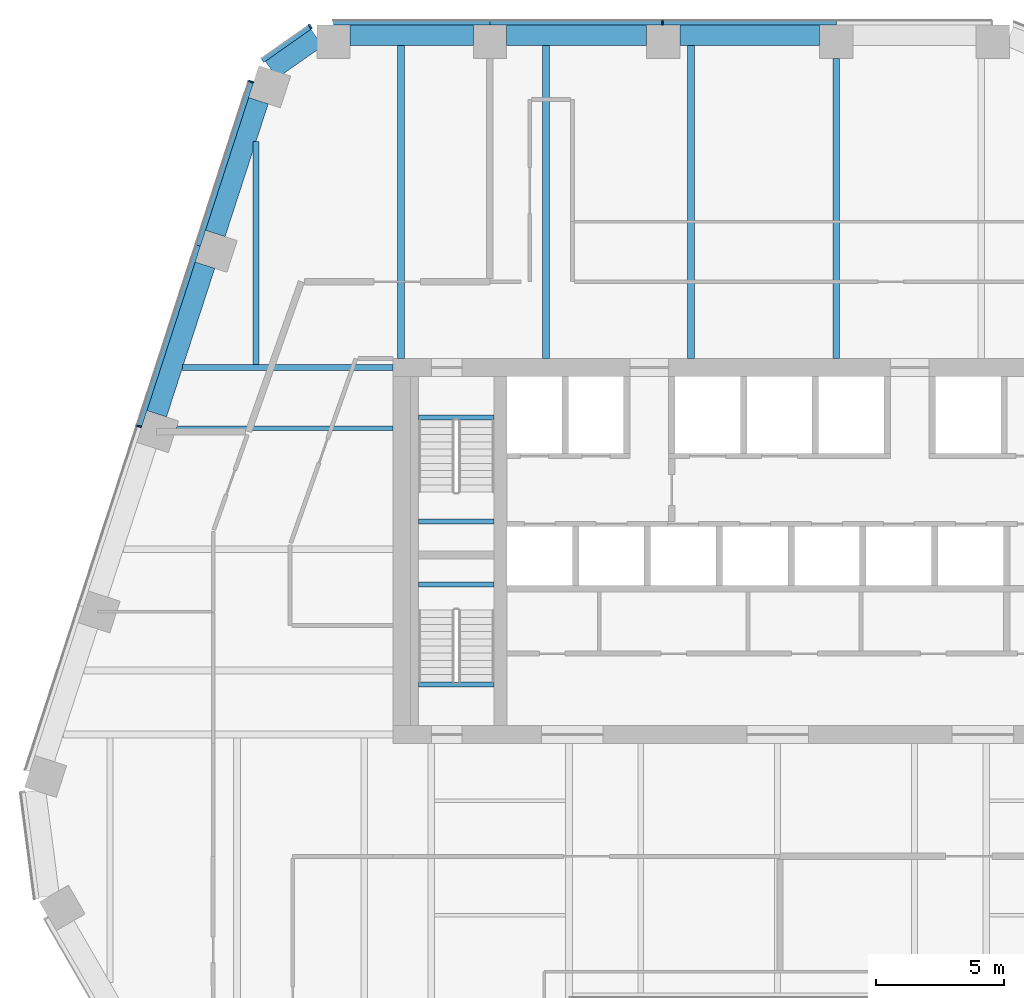
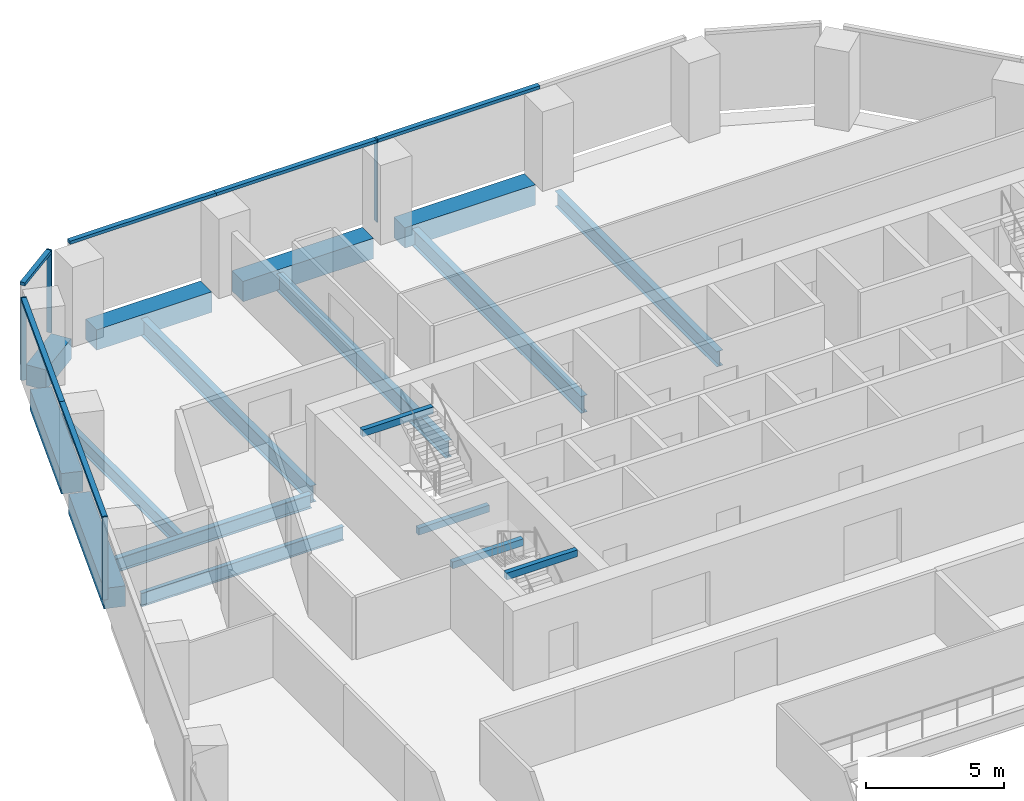
# One storey, part 7 of 16: 17 beams, 10 members, 3 elements without a shape of their own.
"""IFC4 building model written with IfcOpenShell, lengths in metres."""

from ifc_helpers import new_model, si_unit, direction, frame, origin, origin_2d, place, context, subcontext, project, spatial, rectangle, i_section, extrude, material, layer, layer_set, material_profile, profile_set, type_object, element, aggregate, save


model = new_model("IFC4")

# Units and contexts
model_context = context("Model", 3, precision=1e-05, world=origin(), true_north=direction((0.0, 1.0)))
body_context = subcontext(model_context, "Body", "Model", "MODEL_VIEW")
ifc_project = project(units=[si_unit("LENGTHUNIT", "METRE"), si_unit("AREAUNIT", "SQUARE_METRE"), si_unit("VOLUMEUNIT", "CUBIC_METRE"), si_unit("PLANEANGLEUNIT", "RADIAN"), si_unit("MASSUNIT", "GRAM", prefix="KILO")], contexts=[model_context])

# Site, building, storey
site_placement = place(None, origin())
site = spatial("IfcSite", under=ifc_project, at=site_placement, CompositionType="ELEMENT")
building_placement = place(site_placement, origin())
building = spatial("IfcBuilding", under=site, at=building_placement, Name="Isthmus Gate Tower", CompositionType="ELEMENT")
storey_placement = place(building_placement, frame((0.0, 0.0, 185.39990234375)))
storey = spatial("IfcBuildingStorey", under=building, at=storey_placement, Name="L46", CompositionType="ELEMENT", Elevation=185.39990234375)

# Curtain wall, member
ifc_material_1 = material(Name="Aluminium, pale champagne anodised", Category="aluminium")
ifc_layer = layer(ifc_material_1, 0.199951171875)
ifc_layer_set = layer_set([ifc_layer], Name="CW-1 UNITISED CURTAIN WALL 200 DEEP")
curtain_wall_type = type_object("IfcCurtainWallType", Name="CW-1 UNITISED CURTAIN WALL 200 DEEP", PredefinedType="NOTDEFINED", material=ifc_layer_set)
curtain_wall_1_placement = place(storey_placement, origin())
curtain_wall_1 = element("IfcCurtainWall", 1, at=curtain_wall_1_placement, inside=storey, type_object=curtain_wall_type, Name="CW-1 N L46", PredefinedType="NOTDEFINED")
ifc_material_2 = material(Name="Aluminium, pale champagne anodised", Category="aluminium")
ifc_material_profile_1 = material_profile(ifc_material_2, rectangle(XDim=0.06005859375, YDim=0.199951171875, at=origin_2d()), Name="60x200")
ifc_profile_set_1 = profile_set([ifc_material_profile_1], Name="Aluminium, pale champagne anodised")
member_type_1 = type_object("IfcMemberType", Name="CW-1 MULLION 60 X 200", PredefinedType="MULLION", material=ifc_profile_set_1)
member_1_placement = place(storey_placement, frame((-4.49169921875, 28.10009765625, 0.0), z_axis=(0.0, 0.0, 1.0), x_axis=(-1.0, 0.0, 0.0)))
member_1 = element("IfcMember", 2, at=member_1_placement, type_object=member_type_1, Name="CW-1 mullion", PredefinedType="MULLION", context=body_context, shape_type="SweptSolid", body=[
    extrude(rectangle(XDim=0.06005859375, YDim=0.199951171875, at=origin_2d()), origin(), (0.0, 0.0, 1.0), 3.650146484375),
])

curtain_wall_2_placement = place(storey_placement, origin())
curtain_wall_2 = element("IfcCurtainWall", 3, at=curtain_wall_2_placement, inside=storey, type_object=curtain_wall_type, Name="CW-1 N-NW L46", PredefinedType="NOTDEFINED")
member_2_placement = place(storey_placement, frame((-18.216552734375, 27.943115234375, 0.0), z_axis=(0.0, 0.0, 1.0), x_axis=(-0.81785959165, -0.57541783805, 0.0)))
member_2 = element("IfcMember", 4, at=member_2_placement, type_object=member_type_1, Name="CW-1 mullion", PredefinedType="MULLION", context=body_context, shape_type="SweptSolid", body=[
    extrude(rectangle(XDim=0.06005859375, YDim=0.199951171875, at=origin_2d()), origin(), (0.0, 0.0, 1.0), 3.650146484375),
])

# Curtain wall, members
curtain_wall_3_placement = place(storey_placement, origin())
curtain_wall_3 = element("IfcCurtainWall", 5, at=curtain_wall_3_placement, inside=storey, type_object=curtain_wall_type, Name="CW-1 NW L46", PredefinedType="NOTDEFINED")
member_3_placement = place(storey_placement, frame((-20.52001953125, 25.799072265625, 0.0), z_axis=(0.0, 0.0, 1.0), x_axis=(-0.309016994375, -0.951056516295, 0.0)))
member_3 = element("IfcMember", 6, at=member_3_placement, type_object=member_type_1, Name="CW-1 mullion", PredefinedType="MULLION", context=body_context, shape_type="SweptSolid", body=[
    extrude(rectangle(XDim=0.06005859375, YDim=0.199951171875, at=origin_2d()), origin(), (0.0, 0.0, 1.0), 3.650146484375),
])
member_4_placement = place(storey_placement, frame((-24.886962890625, 12.359130859375, 0.0), z_axis=(0.0, 0.0, 1.0), x_axis=(-0.309016994375, -0.951056516295, 0.0)))
member_4 = element("IfcMember", 7, at=member_4_placement, type_object=member_type_1, Name="CW-1 mullion", PredefinedType="MULLION", context=body_context, shape_type="SweptSolid", body=[
    extrude(rectangle(XDim=0.06005859375, YDim=0.199951171875, at=origin_2d()), origin(), (0.0, 0.0, 1.0), 3.650146484375),
])

# Member
ifc_material_3 = material(Name="Aluminium, pale champagne anodised", Category="aluminium")
ifc_material_profile_2 = material_profile(ifc_material_3, rectangle(XDim=0.199951171875, YDim=0.139892578125, at=origin_2d()), Name="200x140")
ifc_profile_set_2 = profile_set([ifc_material_profile_2], Name="Aluminium, pale champagne anodised")
member_type_2 = type_object("IfcMemberType", Name="CW-1 TRANSOM 200 X 140", PredefinedType="USERDEFINED", material=ifc_profile_set_2)
member_5_placement = place(storey_placement, frame((2.288330078125, 28.10009765625, 3.580078125), z_axis=(-1.0, 0.0, 0.0), x_axis=(0.0, -1.0, 0.0)))
member_5 = element("IfcMember", 8, at=member_5_placement, type_object=member_type_2, Name="CW-1 transom", ObjectType="TRANSOM", PredefinedType="USERDEFINED", context=body_context, shape_type="SweptSolid", body=[
    extrude(rectangle(XDim=0.199951171875, YDim=0.139892578125, at=origin_2d()), origin(), (0.0, 0.0, 1.0), 6.75),
])

member_6_placement = place(storey_placement, frame((-4.521728515625, 28.10009765625, 3.580078125), z_axis=(-1.0, 0.0, 0.0), x_axis=(0.0, -1.0, 0.0)))
member_6 = element("IfcMember", 9, at=member_6_placement, type_object=member_type_2, Name="CW-1 transom", ObjectType="TRANSOM", PredefinedType="USERDEFINED", context=body_context, shape_type="SweptSolid", body=[
    extrude(rectangle(XDim=0.199951171875, YDim=0.139892578125, at=origin_2d()), origin(), (0.0, 0.0, 1.0), 6.690185546875),
])

member_7_placement = place(storey_placement, frame((-11.2119140625, 28.10009765625, 3.580078125), z_axis=(-1.0, 0.0, 0.0), x_axis=(0.0, -1.0, 0.0)))
member_7 = element("IfcMember", 10, at=member_7_placement, type_object=member_type_2, Name="CW-1 transom", ObjectType="TRANSOM", PredefinedType="USERDEFINED", context=body_context, shape_type="SweptSolid", body=[
    extrude(rectangle(XDim=0.199951171875, YDim=0.139892578125, at=origin_2d()), origin(), (0.0, 0.0, 1.0), 6.10009765625),
])

aggregate(curtain_wall_1, [member_5, member_1, member_6, member_7])

member_8_placement = place(storey_placement, frame((-18.2412109375, 27.92578125, 3.580078125), z_axis=(-0.817868595604, -0.575405040233, 0.0), x_axis=(0.575405040233, -0.817868595604, 0.0)))
member_8 = element("IfcMember", 11, at=member_8_placement, type_object=member_type_2, Name="CW-1 transom", ObjectType="TRANSOM", PredefinedType="USERDEFINED", context=body_context, shape_type="SweptSolid", body=[
    extrude(rectangle(XDim=0.199951171875, YDim=0.139892578125, at=origin_2d()), origin(), (0.0, 0.0, 1.0), 2.258544921875),
])

aggregate(curtain_wall_2, [member_2, member_8])

member_9_placement = place(storey_placement, frame((-20.529296875, 25.7705078125, 3.580078125), z_axis=(-0.309015834351, -0.951056893209, 0.0), x_axis=(0.951056893209, -0.309015834351, 0.0)))
member_9 = element("IfcMember", 12, at=member_9_placement, type_object=member_type_2, Name="CW-1 transom", ObjectType="TRANSOM", PredefinedType="USERDEFINED", context=body_context, shape_type="SweptSolid", body=[
    extrude(rectangle(XDim=0.199951171875, YDim=0.139892578125, at=origin_2d()), origin(), (0.0, 0.0, 1.0), 6.6806640625),
])

member_10_placement = place(storey_placement, frame((-22.59375, 19.416748046875, 3.580078125), z_axis=(-0.309024076379, -0.951054215183, 0.0), x_axis=(0.951054215183, -0.309024076379, 0.0)))
member_10 = element("IfcMember", 13, at=member_10_placement, type_object=member_type_2, Name="CW-1 transom", ObjectType="TRANSOM", PredefinedType="USERDEFINED", context=body_context, shape_type="SweptSolid", body=[
    extrude(rectangle(XDim=0.199951171875, YDim=0.139892578125, at=origin_2d()), origin(), (0.0, 0.0, 1.0), 7.390869140625),
])

aggregate(curtain_wall_3, [member_3, member_9, member_10, member_4])

# Beams
ifc_material_4 = material(Name="Concrete f'c 60 MPa", Category="concrete")
ifc_material_profile_3 = material_profile(ifc_material_4, rectangle(XDim=0.800048828125, YDim=0.89990234375, at=origin_2d()), Name="RC 800X900")
ifc_profile_set_3 = profile_set([ifc_material_profile_3], Name="Concrete f'c 60 MPa")
beam_type_1 = type_object("IfcBeamType", Name="RC SPANDREL 800 X 900", PredefinedType="SPANDREL", material=ifc_profile_set_3)
beam_1_placement = place(storey_placement, frame((-24.201416015625, 12.851318359375, -0.449951171875), z_axis=(0.309039848514, 0.951049090232, 0.0), x_axis=(-0.951049090232, 0.309039848514, 0.0)))
element("IfcBeam", 14, at=beam_1_placement, inside=storey, type_object=beam_type_1, Name="str-spandrel-L46-23", PredefinedType="SPANDREL", context=body_context, shape_type="SweptSolid", body=[
    extrude(rectangle(XDim=0.800048828125, YDim=0.89990234375, at=origin_2d()), origin(), (0.0, 0.0, 1.0), 6.0908203125),
])
beam_2_placement = place(storey_placement, frame((-21.91748046875, 19.88037109375, -0.449951171875), z_axis=(0.309030267747, 0.951052203413, 0.0), x_axis=(-0.951052203413, 0.309030267747, 0.0)))
element("IfcBeam", 15, at=beam_2_placement, inside=storey, type_object=beam_type_1, Name="str-spandrel-L46-24", PredefinedType="SPANDREL", context=body_context, shape_type="SweptSolid", body=[
    extrude(rectangle(XDim=0.800048828125, YDim=0.89990234375, at=origin_2d()), origin(), (0.0, 0.0, 1.0), 5.44091796875),
])
beam_3_placement = place(storey_placement, frame((-19.7392578125, 26.260498046875, -0.449951171875), z_axis=(0.817857331203, 0.575421050882, 0.0), x_axis=(-0.575421050882, 0.817857331203, 0.0)))
element("IfcBeam", 16, at=beam_3_placement, inside=storey, type_object=beam_type_1, Name="str-spandrel-L46-25", PredefinedType="SPANDREL", context=body_context, shape_type="SweptSolid", body=[
    extrude(rectangle(XDim=0.800048828125, YDim=0.89990234375, at=origin_2d()), origin(), (0.0, 0.0, 1.0), 2.173095703125),
])
beam_4_placement = place(storey_placement, frame((-16.661865234375, 27.60009765625, -0.449951171875), z_axis=(1.0, 0.0, 0.0), x_axis=(0.0, 1.0, 0.0)))
element("IfcBeam", 17, at=beam_4_placement, inside=storey, type_object=beam_type_1, Name="str-spandrel-L46-26", PredefinedType="SPANDREL", context=body_context, shape_type="SweptSolid", body=[
    extrude(rectangle(XDim=0.800048828125, YDim=0.89990234375, at=origin_2d()), origin(), (0.0, 0.0, 1.0), 4.800048828125),
])
beam_5_placement = place(storey_placement, frame((-10.561767578125, 27.60009765625, -0.449951171875), z_axis=(1.0, 0.0, 0.0), x_axis=(0.0, 1.0, 0.0)))
element("IfcBeam", 18, at=beam_5_placement, inside=storey, type_object=beam_type_1, Name="str-spandrel-L46-27", PredefinedType="SPANDREL", context=body_context, shape_type="SweptSolid", body=[
    extrude(rectangle(XDim=0.800048828125, YDim=0.89990234375, at=origin_2d()), origin(), (0.0, 0.0, 1.0), 5.449951171875),
])
beam_6_placement = place(storey_placement, frame((-3.811767578125, 27.60009765625, -0.449951171875), z_axis=(1.0, 0.0, 0.0), x_axis=(0.0, 1.0, 0.0)))
element("IfcBeam", 19, at=beam_6_placement, inside=storey, type_object=beam_type_1, Name="str-spandrel-L46-28", PredefinedType="SPANDREL", context=body_context, shape_type="SweptSolid", body=[
    extrude(rectangle(XDim=0.800048828125, YDim=0.89990234375, at=origin_2d()), origin(), (0.0, 0.0, 1.0), 5.4501953125),
])
ifc_material_5 = material(Name="Concrete f'c 40 MPa", Category="concrete")
ifc_material_profile_4 = material_profile(ifc_material_5, rectangle(XDim=0.199951171875, YDim=0.300048828125, at=origin_2d()), Name="STAIR LANDING BEAM RC 200 X 300")
ifc_profile_set_4 = profile_set([ifc_material_profile_4], Name="Concrete f'c 40 MPa")
beam_type_2 = type_object("IfcBeamType", Name="STAIR LANDING BEAM RC 200 X 300", PredefinedType="BEAM", material=ifc_profile_set_4)
for number, where, z_axis, x_axis, name in (
    (20, (-14.0, 8.64990234375, 1.47509765625), (1.0, 0.0, 0.0), (0.0, 1.0, 0.0), "L46 ST1 landing beam 1"),
    (21, (-14.0, 12.7001953125, 3.35009765625), (1.0, 0.0, 0.0), (0.0, 1.0, 0.0), "L46 ST1 floor-edge seat beam"),
    (22, (-14.0, 6.199951171875, 1.47509765625), (1.0, 0.0, 0.0), (0.0, 1.0, 0.0), "L46 ST7 landing beam 1"),
    (23, (-14.0, 2.2998046875, 3.35009765625), (1.0, 0.0, 0.0), (0.0, 1.0, 0.0), "L46 ST7 floor-edge seat beam"),
):
    element("IfcBeam", number, at=place(storey_placement, frame(where, z_axis=z_axis, x_axis=x_axis)), inside=storey, type_object=beam_type_2, Name=name, PredefinedType="BEAM", context=body_context, shape_type="SweptSolid", body=[
        extrude(rectangle(XDim=0.199951171875, YDim=0.300048828125, at=origin_2d()), origin(), (0.0, 0.0, 1.0), 2.949951171875),
    ])
ifc_material_6 = material(Name="Structural steel ASTM A992 Gr 50", Category="steel")
ifc_material_profile_5 = material_profile(ifc_material_6, i_section(OverallWidth=0.177734375, OverallDepth=0.60009765625, WebThickness=0.009521484375, FlangeThickness=0.0126953125, at=origin_2d()), Name="W24X55")
ifc_profile_set_5 = profile_set([ifc_material_profile_5], Name="Structural steel ASTM A992 Gr 50")
beam_type_3 = type_object("IfcBeamType", Name="STEEL FLOOR BEAM W24X55", PredefinedType="JOIST", material=ifc_profile_set_5)
beam_7_placement = place(storey_placement, frame((-23.43798828125, 12.28857421875, -0.449951171875), z_axis=(1.0, 0.0, 0.0), x_axis=(0.0, 1.0, 0.0)))
element("IfcBeam", 24, at=beam_7_placement, inside=storey, type_object=beam_type_3, Name="str-beam-L46-01-02", PredefinedType="JOIST", context=body_context, shape_type="SweptSolid", body=[
    extrude(i_section(OverallWidth=0.177734375, OverallDepth=0.60009765625, WebThickness=0.009521484375, FlangeThickness=0.0126953125, at=origin_2d()), origin(), (0.0, 0.0, 1.0), 8.43798828125),
])
ifc_material_7 = material(Name="Structural steel ASTM A992 Gr 50", Category="steel")
ifc_material_profile_6 = material_profile(ifc_material_7, i_section(OverallWidth=0.228515625, OverallDepth=0.603271484375, WebThickness=0.010986328125, FlangeThickness=0.014404296875, at=origin_2d()), Name="W24X68")
ifc_profile_set_6 = profile_set([ifc_material_profile_6], Name="Structural steel ASTM A992 Gr 50")
beam_type_4 = type_object("IfcBeamType", Name="STEEL FLOOR BEAM W24X68", PredefinedType="JOIST", material=ifc_profile_set_6)
beam_8_placement = place(storey_placement, frame((-20.332763671875, 14.764404296875, -0.451416015625), z_axis=(0.0, 1.0, 0.0), x_axis=(-1.0, 0.0, 0.0)))
element("IfcBeam", 25, at=beam_8_placement, inside=storey, type_object=beam_type_4, Name="str-beam-L46-05-00", PredefinedType="JOIST", context=body_context, shape_type="SweptSolid", body=[
    extrude(i_section(OverallWidth=0.228515625, OverallDepth=0.603271484375, WebThickness=0.010986328125, FlangeThickness=0.014404296875, at=origin_2d()), origin(), (0.0, 0.0, 1.0), 8.69873046875),
])
ifc_material_8 = material(Name="Structural steel ASTM A992 Gr 50", Category="steel")
ifc_material_profile_7 = material_profile(ifc_material_8, i_section(OverallWidth=0.25390625, OverallDepth=0.679443359375, WebThickness=0.010986328125, FlangeThickness=0.015869140625, at=origin_2d()), Name="W27X84")
ifc_profile_set_7 = profile_set([ifc_material_profile_7], Name="Structural steel ASTM A992 Gr 50")
beam_type_5 = type_object("IfcBeamType", Name="STEEL FLOOR BEAM W27X84", PredefinedType="JOIST", material=ifc_profile_set_7)
beam_9_placement = place(storey_placement, frame((2.2783203125, 15.0, -0.489501953125), z_axis=(0.0, 1.0, 0.0), x_axis=(-1.0, 0.0, 0.0)))
element("IfcBeam", 26, at=beam_9_placement, inside=storey, type_object=beam_type_5, Name="str-beam-L46-05-04", PredefinedType="JOIST", context=body_context, shape_type="SweptSolid", body=[
    extrude(i_section(OverallWidth=0.25390625, OverallDepth=0.679443359375, WebThickness=0.010986328125, FlangeThickness=0.015869140625, at=origin_2d()), origin(), (0.0, 0.0, 1.0), 11.699951171875),
])
ifc_material_9 = material(Name="Structural steel ASTM A992 Gr 50", Category="steel")
ifc_material_profile_8 = material_profile(ifc_material_9, i_section(OverallWidth=0.263427734375, OverallDepth=0.749267578125, WebThickness=0.0126953125, FlangeThickness=0.015869140625, at=origin_2d()), Name="W30X90")
ifc_profile_set_8 = profile_set([ifc_material_profile_8], Name="Structural steel ASTM A992 Gr 50")
beam_type_6 = type_object("IfcBeamType", Name="STEEL FLOOR BEAM W30X90", PredefinedType="JOIST", material=ifc_profile_set_8)
for number, where, z_axis, x_axis, name in (
    (27, (-14.679931640625, 15.0, -0.524658203125), (0.0, 1.0, 0.0), (-1.0, 0.0, 0.0), "str-beam-L46-05-01"),
    (28, (-9.027099609375, 15.0, -0.524658203125), (0.0, 1.0, 0.0), (-1.0, 0.0, 0.0), "str-beam-L46-05-02"),
    (29, (-3.37451171875, 15.0, -0.524658203125), (0.0, 1.0, 0.0), (-1.0, 0.0, 0.0), "str-beam-L46-05-03"),
):
    element("IfcBeam", number, at=place(storey_placement, frame(where, z_axis=z_axis, x_axis=x_axis)), inside=storey, type_object=beam_type_6, Name=name, PredefinedType="JOIST", context=body_context, shape_type="SweptSolid", body=[
        extrude(i_section(OverallWidth=0.263427734375, OverallDepth=0.749267578125, WebThickness=0.0126953125, FlangeThickness=0.015869140625, at=origin_2d()), origin(), (0.0, 0.0, 1.0), 12.199951171875),
    ])
ifc_material_10 = material(Name="Structural steel ASTM A992 Gr 50", Category="steel")
ifc_material_profile_9 = material_profile(ifc_material_10, i_section(OverallWidth=0.228515625, OverallDepth=0.6064453125, WebThickness=0.010986328125, FlangeThickness=0.017578125, at=origin_2d()), Name="W24X76")
ifc_profile_set_9 = profile_set([ifc_material_profile_9], Name="Structural steel ASTM A992 Gr 50")
beam_type_7 = type_object("IfcBeamType", Name="STEEL GIRDER W24X76", PredefinedType="BEAM", material=ifc_profile_set_9)
beam_10_placement = place(storey_placement, frame((-15.0, 14.64990234375, -0.453125), z_axis=(-1.0, 0.0, 0.0), x_axis=(0.0, -1.0, 0.0)))
element("IfcBeam", 30, at=beam_10_placement, inside=storey, type_object=beam_type_7, Name="str-girder-L46-15", PredefinedType="BEAM", context=body_context, shape_type="SweptSolid", body=[
    extrude(i_section(OverallWidth=0.228515625, OverallDepth=0.6064453125, WebThickness=0.010986328125, FlangeThickness=0.017578125, at=origin_2d()), origin(), (0.0, 0.0, 1.0), 8.1962890625),
])

save(model, "model.ifc")
